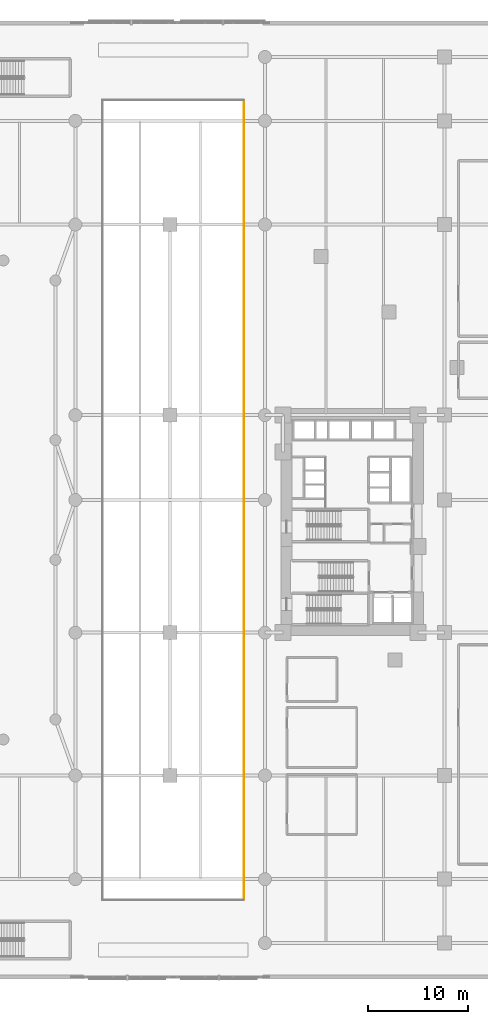
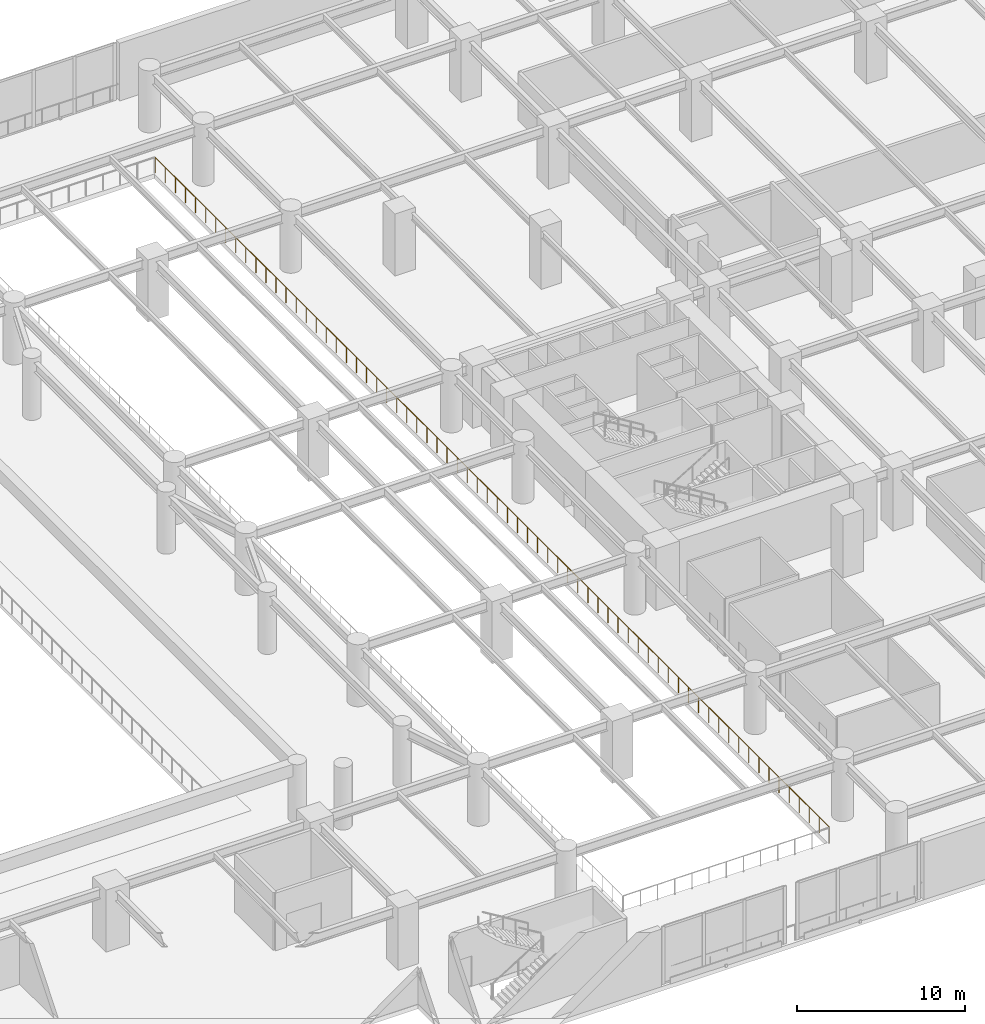
# One storey, part 28 of 32: 1 railing.
"""IFC4 building model written with IfcOpenShell, lengths in metres."""

from ifc_helpers import new_model, si_unit, direction, frame, origin, origin_2d, place, context, subcontext, project, spatial, circle, extrude, material, type_object, element, save


model = new_model("IFC4")

# Units and contexts
model_context = context("Model", 3, precision=1e-05, world=origin(), true_north=direction((0.0, 1.0)))
body_context = subcontext(model_context, "Body", "Model", "MODEL_VIEW")
ifc_project = project(units=[si_unit("LENGTHUNIT", "METRE"), si_unit("AREAUNIT", "SQUARE_METRE"), si_unit("VOLUMEUNIT", "CUBIC_METRE"), si_unit("PLANEANGLEUNIT", "RADIAN"), si_unit("MASSUNIT", "GRAM", prefix="KILO")], contexts=[model_context])

# Site, building, storey
site_placement = place(None, origin())
site = spatial("IfcSite", under=ifc_project, at=site_placement, CompositionType="ELEMENT")
building_placement = place(site_placement, origin())
building = spatial("IfcBuilding", under=site, at=building_placement, Name="Narakoshi Arena Tower", CompositionType="ELEMENT")
storey_placement = place(building_placement, frame((0.0, 0.0, 4.5)))
storey = spatial("IfcBuildingStorey", under=building, at=storey_placement, Name="L01", CompositionType="ELEMENT", Elevation=4.5)

# Railing
ifc_material = material(Name="Brushed bronze stainless steel", Category="steel")
railing_type = type_object("IfcRailingType", Name="RL-GRD-1150", PredefinedType="GUARDRAIL", material=ifc_material)
railing_placement = place(storey_placement, frame((68.10009765625, 7.93994140625, 0.0)))
element("IfcRailing", 1, at=railing_placement, inside=storey, type_object=railing_type, Name="L01 Upper Street Concourse Gallery Void Guardrail 2", PredefinedType="GUARDRAIL", context=body_context, shape_type="SweptSolid", body=[
    extrude(circle(Radius=0.02392578125, at=origin_2d()), frame((0.0, 0.0, 1.1259765625), z_axis=(0.0, 1.0, 0.0), x_axis=(-1.0, 0.0, 0.0)), (0.0, 0.0, 1.0), 80.1201171875),
    extrude(circle(Radius=0.02099609375, at=origin_2d()), origin(), (0.0, 0.0, 1.0), 1.101806640625),
    extrude(circle(Radius=0.02099609375, at=origin_2d()), frame((0.0, 1.19580078125, 0.0)), (0.0, 0.0, 1.0), 1.101806640625),
    extrude(circle(Radius=0.02099609375, at=origin_2d()), frame((0.0, 2.3916015625, 0.0)), (0.0, 0.0, 1.0), 1.101806640625),
    extrude(circle(Radius=0.02099609375, at=origin_2d()), frame((0.0, 3.58740234375, 0.0)), (0.0, 0.0, 1.0), 1.101806640625),
    extrude(circle(Radius=0.02099609375, at=origin_2d()), frame((0.0, 4.783203125, 0.0)), (0.0, 0.0, 1.0), 1.101806640625),
    extrude(circle(Radius=0.02099609375, at=origin_2d()), frame((0.0, 5.97900390625, 0.0)), (0.0, 0.0, 1.0), 1.101806640625),
    extrude(circle(Radius=0.02099609375, at=origin_2d()), frame((0.0, 7.175048828125, 0.0)), (0.0, 0.0, 1.0), 1.101806640625),
    extrude(circle(Radius=0.02099609375, at=origin_2d()), frame((0.0, 8.370849609375, 0.0)), (0.0, 0.0, 1.0), 1.101806640625),
    extrude(circle(Radius=0.02099609375, at=origin_2d()), frame((0.0, 9.566650390625, 0.0)), (0.0, 0.0, 1.0), 1.101806640625),
    extrude(circle(Radius=0.02099609375, at=origin_2d()), frame((0.0, 10.762451171875, 0.0)), (0.0, 0.0, 1.0), 1.101806640625),
    extrude(circle(Radius=0.02099609375, at=origin_2d()), frame((0.0, 11.958251953125, 0.0)), (0.0, 0.0, 1.0), 1.101806640625),
    extrude(circle(Radius=0.02099609375, at=origin_2d()), frame((0.0, 13.154052734375, 0.0)), (0.0, 0.0, 1.0), 1.101806640625),
    extrude(circle(Radius=0.02099609375, at=origin_2d()), frame((0.0, 14.349853515625, 0.0)), (0.0, 0.0, 1.0), 1.101806640625),
    extrude(circle(Radius=0.02099609375, at=origin_2d()), frame((0.0, 15.545654296875, 0.0)), (0.0, 0.0, 1.0), 1.101806640625),
    extrude(circle(Radius=0.02099609375, at=origin_2d()), frame((0.0, 16.741455078125, 0.0)), (0.0, 0.0, 1.0), 1.101806640625),
    extrude(circle(Radius=0.02099609375, at=origin_2d()), frame((0.0, 17.937255859375, 0.0)), (0.0, 0.0, 1.0), 1.101806640625),
    extrude(circle(Radius=0.02099609375, at=origin_2d()), frame((0.0, 19.133056640625, 0.0)), (0.0, 0.0, 1.0), 1.101806640625),
    extrude(circle(Radius=0.02099609375, at=origin_2d()), frame((0.0, 20.3291015625, 0.0)), (0.0, 0.0, 1.0), 1.101806640625),
    extrude(circle(Radius=0.02099609375, at=origin_2d()), frame((0.0, 21.52490234375, 0.0)), (0.0, 0.0, 1.0), 1.101806640625),
    extrude(circle(Radius=0.02099609375, at=origin_2d()), frame((0.0, 22.720703125, 0.0)), (0.0, 0.0, 1.0), 1.101806640625),
    extrude(circle(Radius=0.02099609375, at=origin_2d()), frame((0.0, 23.91650390625, 0.0)), (0.0, 0.0, 1.0), 1.101806640625),
    extrude(circle(Radius=0.02099609375, at=origin_2d()), frame((0.0, 25.1123046875, 0.0)), (0.0, 0.0, 1.0), 1.101806640625),
    extrude(circle(Radius=0.02099609375, at=origin_2d()), frame((0.0, 26.30810546875, 0.0)), (0.0, 0.0, 1.0), 1.101806640625),
    extrude(circle(Radius=0.02099609375, at=origin_2d()), frame((0.0, 27.50390625, 0.0)), (0.0, 0.0, 1.0), 1.101806640625),
    extrude(circle(Radius=0.02099609375, at=origin_2d()), frame((0.0, 28.69970703125, 0.0)), (0.0, 0.0, 1.0), 1.101806640625),
    extrude(circle(Radius=0.02099609375, at=origin_2d()), frame((0.0, 29.8955078125, 0.0)), (0.0, 0.0, 1.0), 1.101806640625),
    extrude(circle(Radius=0.02099609375, at=origin_2d()), frame((0.0, 31.09130859375, 0.0)), (0.0, 0.0, 1.0), 1.101806640625),
    extrude(circle(Radius=0.02099609375, at=origin_2d()), frame((0.0, 32.287109375, 0.0)), (0.0, 0.0, 1.0), 1.101806640625),
    extrude(circle(Radius=0.02099609375, at=origin_2d()), frame((0.0, 33.483154296875, 0.0)), (0.0, 0.0, 1.0), 1.101806640625),
    extrude(circle(Radius=0.02099609375, at=origin_2d()), frame((0.0, 34.678955078125, 0.0)), (0.0, 0.0, 1.0), 1.101806640625),
    extrude(circle(Radius=0.02099609375, at=origin_2d()), frame((0.0, 35.874755859375, 0.0)), (0.0, 0.0, 1.0), 1.101806640625),
    extrude(circle(Radius=0.02099609375, at=origin_2d()), frame((0.0, 37.070556640625, 0.0)), (0.0, 0.0, 1.0), 1.101806640625),
    extrude(circle(Radius=0.02099609375, at=origin_2d()), frame((0.0, 38.266357421875, 0.0)), (0.0, 0.0, 1.0), 1.101806640625),
    extrude(circle(Radius=0.02099609375, at=origin_2d()), frame((0.0, 39.462158203125, 0.0)), (0.0, 0.0, 1.0), 1.101806640625),
    extrude(circle(Radius=0.02099609375, at=origin_2d()), frame((0.0, 40.657958984375, 0.0)), (0.0, 0.0, 1.0), 1.101806640625),
    extrude(circle(Radius=0.02099609375, at=origin_2d()), frame((0.0, 41.853759765625, 0.0)), (0.0, 0.0, 1.0), 1.101806640625),
    extrude(circle(Radius=0.02099609375, at=origin_2d()), frame((0.0, 43.049560546875, 0.0)), (0.0, 0.0, 1.0), 1.101806640625),
    extrude(circle(Radius=0.02099609375, at=origin_2d()), frame((0.0, 44.245361328125, 0.0)), (0.0, 0.0, 1.0), 1.101806640625),
    extrude(circle(Radius=0.02099609375, at=origin_2d()), frame((0.0, 45.441162109375, 0.0)), (0.0, 0.0, 1.0), 1.101806640625),
    extrude(circle(Radius=0.02099609375, at=origin_2d()), frame((0.0, 46.636962890625, 0.0)), (0.0, 0.0, 1.0), 1.101806640625),
    extrude(circle(Radius=0.02099609375, at=origin_2d()), frame((0.0, 47.8330078125, 0.0)), (0.0, 0.0, 1.0), 1.101806640625),
    extrude(circle(Radius=0.02099609375, at=origin_2d()), frame((0.0, 49.02880859375, 0.0)), (0.0, 0.0, 1.0), 1.101806640625),
    extrude(circle(Radius=0.02099609375, at=origin_2d()), frame((0.0, 50.224609375, 0.0)), (0.0, 0.0, 1.0), 1.101806640625),
    extrude(circle(Radius=0.02099609375, at=origin_2d()), frame((0.0, 51.42041015625, 0.0)), (0.0, 0.0, 1.0), 1.101806640625),
    extrude(circle(Radius=0.02099609375, at=origin_2d()), frame((0.0, 52.6162109375, 0.0)), (0.0, 0.0, 1.0), 1.101806640625),
    extrude(circle(Radius=0.02099609375, at=origin_2d()), frame((0.0, 53.81201171875, 0.0)), (0.0, 0.0, 1.0), 1.101806640625),
    extrude(circle(Radius=0.02099609375, at=origin_2d()), frame((0.0, 55.0078125, 0.0)), (0.0, 0.0, 1.0), 1.101806640625),
    extrude(circle(Radius=0.02099609375, at=origin_2d()), frame((0.0, 56.20361328125, 0.0)), (0.0, 0.0, 1.0), 1.101806640625),
    extrude(circle(Radius=0.02099609375, at=origin_2d()), frame((0.0, 57.3994140625, 0.0)), (0.0, 0.0, 1.0), 1.101806640625),
    extrude(circle(Radius=0.02099609375, at=origin_2d()), frame((0.0, 58.59521484375, 0.0)), (0.0, 0.0, 1.0), 1.101806640625),
    extrude(circle(Radius=0.02099609375, at=origin_2d()), frame((0.0, 59.791015625, 0.0)), (0.0, 0.0, 1.0), 1.101806640625),
    extrude(circle(Radius=0.02099609375, at=origin_2d()), frame((0.0, 60.987060546875, 0.0)), (0.0, 0.0, 1.0), 1.101806640625),
    extrude(circle(Radius=0.02099609375, at=origin_2d()), frame((0.0, 62.182861328125, 0.0)), (0.0, 0.0, 1.0), 1.101806640625),
    extrude(circle(Radius=0.02099609375, at=origin_2d()), frame((0.0, 63.378662109375, 0.0)), (0.0, 0.0, 1.0), 1.101806640625),
    extrude(circle(Radius=0.02099609375, at=origin_2d()), frame((0.0, 64.574462890625, 0.0)), (0.0, 0.0, 1.0), 1.101806640625),
    extrude(circle(Radius=0.02099609375, at=origin_2d()), frame((0.0, 65.770263671875, 0.0)), (0.0, 0.0, 1.0), 1.101806640625),
    extrude(circle(Radius=0.02099609375, at=origin_2d()), frame((0.0, 66.966064453125, 0.0)), (0.0, 0.0, 1.0), 1.101806640625),
    extrude(circle(Radius=0.02099609375, at=origin_2d()), frame((0.0, 68.161865234375, 0.0)), (0.0, 0.0, 1.0), 1.101806640625),
    extrude(circle(Radius=0.02099609375, at=origin_2d()), frame((0.0, 69.357666015625, 0.0)), (0.0, 0.0, 1.0), 1.101806640625),
    extrude(circle(Radius=0.02099609375, at=origin_2d()), frame((0.0, 70.553466796875, 0.0)), (0.0, 0.0, 1.0), 1.101806640625),
    extrude(circle(Radius=0.02099609375, at=origin_2d()), frame((0.0, 71.749267578125, 0.0)), (0.0, 0.0, 1.0), 1.101806640625),
    extrude(circle(Radius=0.02099609375, at=origin_2d()), frame((0.0, 72.945068359375, 0.0)), (0.0, 0.0, 1.0), 1.101806640625),
    extrude(circle(Radius=0.02099609375, at=origin_2d()), frame((0.0, 74.14111328125, 0.0)), (0.0, 0.0, 1.0), 1.101806640625),
    extrude(circle(Radius=0.02099609375, at=origin_2d()), frame((0.0, 75.3369140625, 0.0)), (0.0, 0.0, 1.0), 1.101806640625),
    extrude(circle(Radius=0.02099609375, at=origin_2d()), frame((0.0, 76.53271484375, 0.0)), (0.0, 0.0, 1.0), 1.101806640625),
    extrude(circle(Radius=0.02099609375, at=origin_2d()), frame((0.0, 77.728515625, 0.0)), (0.0, 0.0, 1.0), 1.101806640625),
    extrude(circle(Radius=0.02099609375, at=origin_2d()), frame((0.0, 78.92431640625, 0.0)), (0.0, 0.0, 1.0), 1.101806640625),
    extrude(circle(Radius=0.02099609375, at=origin_2d()), frame((0.0, 80.1201171875, 0.0)), (0.0, 0.0, 1.0), 1.101806640625),
])

save(model, "model.ifc")
